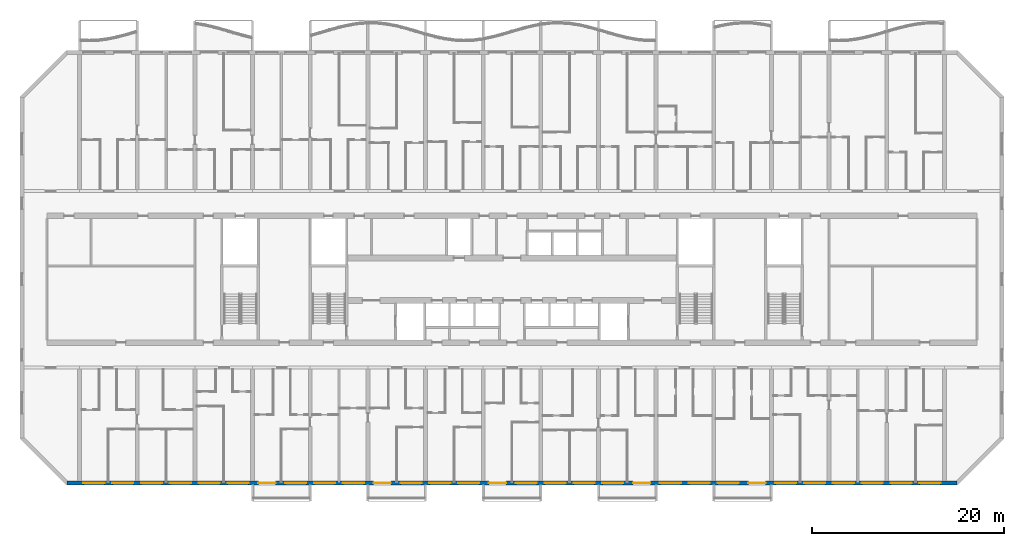
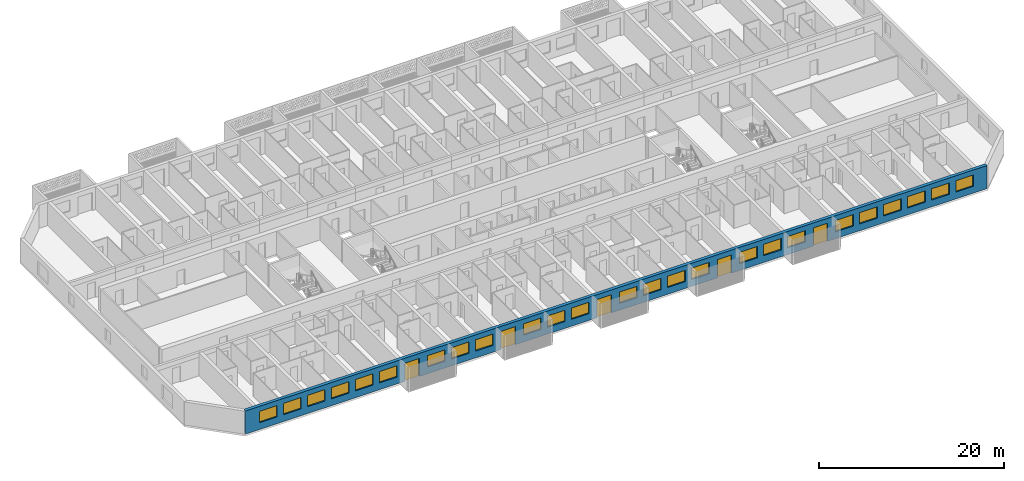
# One storey, part 6 of 44: 25 windows, 5 doors, 1 wall, 30 openings.
"""IFC4 building model written with IfcOpenShell, lengths in metres."""

from ifc_helpers import new_model, si_unit, direction, frame, frame_2d, origin, place, context, subcontext, project, spatial, rectangle, extrude, material, layer, layer_set, type_object, element, fill, save


model = new_model("IFC4")

# Units and contexts
model_context = context("Model", 3, precision=1e-05, world=origin(), true_north=direction((0.0, 1.0)))
body_context = subcontext(model_context, "Body", "Model", "MODEL_VIEW")
ifc_project = project(units=[si_unit("LENGTHUNIT", "METRE"), si_unit("AREAUNIT", "SQUARE_METRE"), si_unit("VOLUMEUNIT", "CUBIC_METRE"), si_unit("PLANEANGLEUNIT", "RADIAN"), si_unit("MASSUNIT", "GRAM", prefix="KILO")], contexts=[model_context])

# Site, building, storey
site_placement = place(None, origin())
site = spatial("IfcSite", under=ifc_project, at=site_placement, CompositionType="ELEMENT")
building_placement = place(site_placement, origin())
building = spatial("IfcBuilding", under=site, at=building_placement, Name="Poui Terraces", CompositionType="ELEMENT")
storey_placement = place(building_placement, frame((0.0, 0.0, 30.0)))
storey = spatial("IfcBuildingStorey", under=building, at=storey_placement, Name="L07", CompositionType="ELEMENT", Elevation=30.0)

# Wall, openings, doors, windows
ifc_material_1 = material(Name="Precast concrete 40 MPa", Category="concrete")
ifc_layer = layer(ifc_material_1, 0.39990234375)
ifc_layer_set = layer_set([ifc_layer], Name="Precast concrete 40 MPa")
wall_type = type_object("IfcWallType", Name="EXTERNAL WALL 400", PredefinedType="STANDARD", material=ifc_layer_set)
wall_placement = place(storey_placement, frame((4.682861328125, 0.0, 0.0), z_axis=(0.0, 0.0, 1.0), x_axis=(1.0, 0.0, 0.0)))
wall = element("IfcWall", 1, at=wall_placement, inside=storey, type_object=wall_type, Name="EXTERNAL WALL S", PredefinedType="STANDARD", context=body_context, shape_type="SweptSolid", body=[
    extrude(rectangle(XDim=92.63427734375, YDim=0.39990234375, at=frame_2d((46.317138671875, 0.0))), origin(), (0.0, 0.0, 1.0), 3.050048828125),
])
opening_1_placement = place(wall_placement, frame((1.71728515625, 0.0, 0.89990234375)))
opening_1 = element("IfcOpeningElement", 2, at=opening_1_placement, cuts=wall, Name="Opening W1", PredefinedType="OPENING", context=body_context, shape_type="SweptSolid", body=[
    extrude(rectangle(XDim=2.199951171875, YDim=1.5, at=frame_2d((1.10009765625, 0.75))), frame((0.0, 0.2099609375, 0.0), z_axis=(0.0, -1.0, 0.0), x_axis=(1.0, 0.0, 0.0)), (0.0, 0.0, 1.0), 0.419921875),
])
opening_2_placement = place(wall_placement, frame((4.71728515625, 0.0, 0.89990234375)))
opening_2 = element("IfcOpeningElement", 3, at=opening_2_placement, cuts=wall, Name="Opening W1", PredefinedType="OPENING", context=body_context, shape_type="SweptSolid", body=[
    extrude(rectangle(XDim=2.199951171875, YDim=1.5, at=frame_2d((1.10009765625, 0.75))), frame((0.0, 0.2099609375, 0.0), z_axis=(0.0, -1.0, 0.0), x_axis=(1.0, 0.0, 0.0)), (0.0, 0.0, 1.0), 0.419921875),
])
opening_3_placement = place(wall_placement, frame((7.71728515625, 0.0, 0.89990234375)))
opening_3 = element("IfcOpeningElement", 4, at=opening_3_placement, cuts=wall, Name="Opening W1", PredefinedType="OPENING", context=body_context, shape_type="SweptSolid", body=[
    extrude(rectangle(XDim=2.199951171875, YDim=1.5, at=frame_2d((1.10009765625, 0.75))), frame((0.0, 0.2099609375, 0.0), z_axis=(0.0, -1.0, 0.0), x_axis=(1.0, 0.0, 0.0)), (0.0, 0.0, 1.0), 0.419921875),
])
opening_4_placement = place(wall_placement, frame((10.71728515625, 0.0, 0.89990234375)))
opening_4 = element("IfcOpeningElement", 5, at=opening_4_placement, cuts=wall, Name="Opening W1", PredefinedType="OPENING", context=body_context, shape_type="SweptSolid", body=[
    extrude(rectangle(XDim=2.199951171875, YDim=1.5, at=frame_2d((1.10009765625, 0.75))), frame((0.0, 0.2099609375, 0.0), z_axis=(0.0, -1.0, 0.0), x_axis=(1.0, 0.0, 0.0)), (0.0, 0.0, 1.0), 0.419921875),
])
opening_5_placement = place(wall_placement, frame((13.71728515625, 0.0, 0.89990234375)))
opening_5 = element("IfcOpeningElement", 6, at=opening_5_placement, cuts=wall, Name="Opening W1", PredefinedType="OPENING", context=body_context, shape_type="SweptSolid", body=[
    extrude(rectangle(XDim=2.199951171875, YDim=1.5, at=frame_2d((1.10009765625, 0.75))), frame((0.0, 0.2099609375, 0.0), z_axis=(0.0, -1.0, 0.0), x_axis=(1.0, 0.0, 0.0)), (0.0, 0.0, 1.0), 0.419921875),
])
opening_6_placement = place(wall_placement, frame((16.71728515625, 0.0, 0.89990234375)))
opening_6 = element("IfcOpeningElement", 7, at=opening_6_placement, cuts=wall, Name="Opening W1", PredefinedType="OPENING", context=body_context, shape_type="SweptSolid", body=[
    extrude(rectangle(XDim=2.199951171875, YDim=1.5, at=frame_2d((1.10009765625, 0.75))), frame((0.0, 0.2099609375, 0.0), z_axis=(0.0, -1.0, 0.0), x_axis=(1.0, 0.0, 0.0)), (0.0, 0.0, 1.0), 0.419921875),
])
opening_7_placement = place(wall_placement, frame((19.917236328125, 0.0, 0.0)))
opening_7 = element("IfcOpeningElement", 8, at=opening_7_placement, cuts=wall, Name="Opening BD1", PredefinedType="OPENING", context=body_context, shape_type="SweptSolid", body=[
    extrude(rectangle(XDim=1.800048828125, YDim=2.39990234375, at=frame_2d((0.89990234375, 1.199951171875))), frame((0.0, 0.2099609375, 0.0), z_axis=(0.0, -1.0, 0.0), x_axis=(1.0, 0.0, 0.0)), (0.0, 0.0, 1.0), 0.419921875),
])
opening_8_placement = place(wall_placement, frame((22.71728515625, 0.0, 0.89990234375)))
opening_8 = element("IfcOpeningElement", 9, at=opening_8_placement, cuts=wall, Name="Opening W1", PredefinedType="OPENING", context=body_context, shape_type="SweptSolid", body=[
    extrude(rectangle(XDim=2.199951171875, YDim=1.5, at=frame_2d((1.10009765625, 0.75))), frame((0.0, 0.2099609375, 0.0), z_axis=(0.0, -1.0, 0.0), x_axis=(1.0, 0.0, 0.0)), (0.0, 0.0, 1.0), 0.419921875),
])
opening_9_placement = place(wall_placement, frame((25.71728515625, 0.0, 0.89990234375)))
opening_9 = element("IfcOpeningElement", 10, at=opening_9_placement, cuts=wall, Name="Opening W1", PredefinedType="OPENING", context=body_context, shape_type="SweptSolid", body=[
    extrude(rectangle(XDim=2.199951171875, YDim=1.5, at=frame_2d((1.10009765625, 0.75))), frame((0.0, 0.2099609375, 0.0), z_axis=(0.0, -1.0, 0.0), x_axis=(1.0, 0.0, 0.0)), (0.0, 0.0, 1.0), 0.419921875),
])
opening_10_placement = place(wall_placement, frame((28.71728515625, 0.0, 0.89990234375)))
opening_10 = element("IfcOpeningElement", 11, at=opening_10_placement, cuts=wall, Name="Opening W1", PredefinedType="OPENING", context=body_context, shape_type="SweptSolid", body=[
    extrude(rectangle(XDim=2.199951171875, YDim=1.5, at=frame_2d((1.10009765625, 0.75))), frame((0.0, 0.2099609375, 0.0), z_axis=(0.0, -1.0, 0.0), x_axis=(1.0, 0.0, 0.0)), (0.0, 0.0, 1.0), 0.419921875),
])
opening_11_placement = place(wall_placement, frame((31.917236328125, 0.0, 0.0)))
opening_11 = element("IfcOpeningElement", 12, at=opening_11_placement, cuts=wall, Name="Opening BD1", PredefinedType="OPENING", context=body_context, shape_type="SweptSolid", body=[
    extrude(rectangle(XDim=1.800048828125, YDim=2.39990234375, at=frame_2d((0.89990234375, 1.199951171875))), frame((0.0, 0.2099609375, 0.0), z_axis=(0.0, -1.0, 0.0), x_axis=(1.0, 0.0, 0.0)), (0.0, 0.0, 1.0), 0.419921875),
])
opening_12_placement = place(wall_placement, frame((34.71728515625, 0.0, 0.89990234375)))
opening_12 = element("IfcOpeningElement", 13, at=opening_12_placement, cuts=wall, Name="Opening W1", PredefinedType="OPENING", context=body_context, shape_type="SweptSolid", body=[
    extrude(rectangle(XDim=2.199951171875, YDim=1.5, at=frame_2d((1.10009765625, 0.75))), frame((0.0, 0.2099609375, 0.0), z_axis=(0.0, -1.0, 0.0), x_axis=(1.0, 0.0, 0.0)), (0.0, 0.0, 1.0), 0.419921875),
])
opening_13_placement = place(wall_placement, frame((37.71728515625, 0.0, 0.89990234375)))
opening_13 = element("IfcOpeningElement", 14, at=opening_13_placement, cuts=wall, Name="Opening W1", PredefinedType="OPENING", context=body_context, shape_type="SweptSolid", body=[
    extrude(rectangle(XDim=2.199951171875, YDim=1.5, at=frame_2d((1.10009765625, 0.75))), frame((0.0, 0.2099609375, 0.0), z_axis=(0.0, -1.0, 0.0), x_axis=(1.0, 0.0, 0.0)), (0.0, 0.0, 1.0), 0.419921875),
])
opening_14_placement = place(wall_placement, frame((40.71728515625, 0.0, 0.89990234375)))
opening_14 = element("IfcOpeningElement", 15, at=opening_14_placement, cuts=wall, Name="Opening W1", PredefinedType="OPENING", context=body_context, shape_type="SweptSolid", body=[
    extrude(rectangle(XDim=2.199951171875, YDim=1.5, at=frame_2d((1.10009765625, 0.75))), frame((0.0, 0.2099609375, 0.0), z_axis=(0.0, -1.0, 0.0), x_axis=(1.0, 0.0, 0.0)), (0.0, 0.0, 1.0), 0.419921875),
])
opening_15_placement = place(wall_placement, frame((43.917236328125, 0.0, 0.0)))
opening_15 = element("IfcOpeningElement", 16, at=opening_15_placement, cuts=wall, Name="Opening BD1", PredefinedType="OPENING", context=body_context, shape_type="SweptSolid", body=[
    extrude(rectangle(XDim=1.800048828125, YDim=2.39990234375, at=frame_2d((0.89990234375, 1.199951171875))), frame((0.0, 0.2099609375, 0.0), z_axis=(0.0, -1.0, 0.0), x_axis=(1.0, 0.0, 0.0)), (0.0, 0.0, 1.0), 0.419921875),
])
opening_16_placement = place(wall_placement, frame((46.71728515625, 0.0, 0.89990234375)))
opening_16 = element("IfcOpeningElement", 17, at=opening_16_placement, cuts=wall, Name="Opening W1", PredefinedType="OPENING", context=body_context, shape_type="SweptSolid", body=[
    extrude(rectangle(XDim=2.199951171875, YDim=1.5, at=frame_2d((1.10009765625, 0.75))), frame((0.0, 0.2099609375, 0.0), z_axis=(0.0, -1.0, 0.0), x_axis=(1.0, 0.0, 0.0)), (0.0, 0.0, 1.0), 0.419921875),
])
opening_17_placement = place(wall_placement, frame((49.71728515625, 0.0, 0.89990234375)))
opening_17 = element("IfcOpeningElement", 18, at=opening_17_placement, cuts=wall, Name="Opening W1", PredefinedType="OPENING", context=body_context, shape_type="SweptSolid", body=[
    extrude(rectangle(XDim=2.199951171875, YDim=1.5, at=frame_2d((1.10009765625, 0.75))), frame((0.0, 0.2099609375, 0.0), z_axis=(0.0, -1.0, 0.0), x_axis=(1.0, 0.0, 0.0)), (0.0, 0.0, 1.0), 0.419921875),
])
opening_18_placement = place(wall_placement, frame((52.71728515625, 0.0, 0.89990234375)))
opening_18 = element("IfcOpeningElement", 19, at=opening_18_placement, cuts=wall, Name="Opening W1", PredefinedType="OPENING", context=body_context, shape_type="SweptSolid", body=[
    extrude(rectangle(XDim=2.199951171875, YDim=1.5, at=frame_2d((1.10009765625, 0.75))), frame((0.0, 0.2099609375, 0.0), z_axis=(0.0, -1.0, 0.0), x_axis=(1.0, 0.0, 0.0)), (0.0, 0.0, 1.0), 0.419921875),
])
opening_19_placement = place(wall_placement, frame((55.71728515625, 0.0, 0.89990234375)))
opening_19 = element("IfcOpeningElement", 20, at=opening_19_placement, cuts=wall, Name="Opening W1", PredefinedType="OPENING", context=body_context, shape_type="SweptSolid", body=[
    extrude(rectangle(XDim=2.199951171875, YDim=1.5, at=frame_2d((1.10009765625, 0.75))), frame((0.0, 0.2099609375, 0.0), z_axis=(0.0, -1.0, 0.0), x_axis=(1.0, 0.0, 0.0)), (0.0, 0.0, 1.0), 0.419921875),
])
opening_20_placement = place(wall_placement, frame((58.917236328125, 0.0, 0.0)))
opening_20 = element("IfcOpeningElement", 21, at=opening_20_placement, cuts=wall, Name="Opening BD1", PredefinedType="OPENING", context=body_context, shape_type="SweptSolid", body=[
    extrude(rectangle(XDim=1.800048828125, YDim=2.39990234375, at=frame_2d((0.89990234375, 1.199951171875))), frame((0.0, 0.2099609375, 0.0), z_axis=(0.0, -1.0, 0.0), x_axis=(1.0, 0.0, 0.0)), (0.0, 0.0, 1.0), 0.419921875),
])
opening_21_placement = place(wall_placement, frame((61.71728515625, 0.0, 0.89990234375)))
opening_21 = element("IfcOpeningElement", 22, at=opening_21_placement, cuts=wall, Name="Opening W1", PredefinedType="OPENING", context=body_context, shape_type="SweptSolid", body=[
    extrude(rectangle(XDim=2.199951171875, YDim=1.5, at=frame_2d((1.10009765625, 0.75))), frame((0.0, 0.2099609375, 0.0), z_axis=(0.0, -1.0, 0.0), x_axis=(1.0, 0.0, 0.0)), (0.0, 0.0, 1.0), 0.419921875),
])
opening_22_placement = place(wall_placement, frame((64.71728515625, 0.0, 0.89990234375)))
opening_22 = element("IfcOpeningElement", 23, at=opening_22_placement, cuts=wall, Name="Opening W1", PredefinedType="OPENING", context=body_context, shape_type="SweptSolid", body=[
    extrude(rectangle(XDim=2.199951171875, YDim=1.5, at=frame_2d((1.10009765625, 0.75))), frame((0.0, 0.2099609375, 0.0), z_axis=(0.0, -1.0, 0.0), x_axis=(1.0, 0.0, 0.0)), (0.0, 0.0, 1.0), 0.419921875),
])
opening_23_placement = place(wall_placement, frame((67.71728515625, 0.0, 0.89990234375)))
opening_23 = element("IfcOpeningElement", 24, at=opening_23_placement, cuts=wall, Name="Opening W1", PredefinedType="OPENING", context=body_context, shape_type="SweptSolid", body=[
    extrude(rectangle(XDim=2.199951171875, YDim=1.5, at=frame_2d((1.10009765625, 0.75))), frame((0.0, 0.2099609375, 0.0), z_axis=(0.0, -1.0, 0.0), x_axis=(1.0, 0.0, 0.0)), (0.0, 0.0, 1.0), 0.419921875),
])
opening_24_placement = place(wall_placement, frame((70.917236328125, 0.0, 0.0)))
opening_24 = element("IfcOpeningElement", 25, at=opening_24_placement, cuts=wall, Name="Opening BD1", PredefinedType="OPENING", context=body_context, shape_type="SweptSolid", body=[
    extrude(rectangle(XDim=1.800048828125, YDim=2.39990234375, at=frame_2d((0.89990234375, 1.199951171875))), frame((0.0, 0.2099609375, 0.0), z_axis=(0.0, -1.0, 0.0), x_axis=(1.0, 0.0, 0.0)), (0.0, 0.0, 1.0), 0.419921875),
])
opening_25_placement = place(wall_placement, frame((73.71728515625, 0.0, 0.89990234375)))
opening_25 = element("IfcOpeningElement", 26, at=opening_25_placement, cuts=wall, Name="Opening W1", PredefinedType="OPENING", context=body_context, shape_type="SweptSolid", body=[
    extrude(rectangle(XDim=2.199951171875, YDim=1.5, at=frame_2d((1.10009765625, 0.75))), frame((0.0, 0.2099609375, 0.0), z_axis=(0.0, -1.0, 0.0), x_axis=(1.0, 0.0, 0.0)), (0.0, 0.0, 1.0), 0.419921875),
])
opening_26_placement = place(wall_placement, frame((76.71728515625, 0.0, 0.89990234375)))
opening_26 = element("IfcOpeningElement", 27, at=opening_26_placement, cuts=wall, Name="Opening W1", PredefinedType="OPENING", context=body_context, shape_type="SweptSolid", body=[
    extrude(rectangle(XDim=2.199951171875, YDim=1.5, at=frame_2d((1.10009765625, 0.75))), frame((0.0, 0.2099609375, 0.0), z_axis=(0.0, -1.0, 0.0), x_axis=(1.0, 0.0, 0.0)), (0.0, 0.0, 1.0), 0.419921875),
])
opening_27_placement = place(wall_placement, frame((79.71728515625, 0.0, 0.89990234375)))
opening_27 = element("IfcOpeningElement", 28, at=opening_27_placement, cuts=wall, Name="Opening W1", PredefinedType="OPENING", context=body_context, shape_type="SweptSolid", body=[
    extrude(rectangle(XDim=2.199951171875, YDim=1.5, at=frame_2d((1.10009765625, 0.75))), frame((0.0, 0.2099609375, 0.0), z_axis=(0.0, -1.0, 0.0), x_axis=(1.0, 0.0, 0.0)), (0.0, 0.0, 1.0), 0.419921875),
])
opening_28_placement = place(wall_placement, frame((82.71728515625, 0.0, 0.89990234375)))
opening_28 = element("IfcOpeningElement", 29, at=opening_28_placement, cuts=wall, Name="Opening W1", PredefinedType="OPENING", context=body_context, shape_type="SweptSolid", body=[
    extrude(rectangle(XDim=2.199951171875, YDim=1.5, at=frame_2d((1.10009765625, 0.75))), frame((0.0, 0.2099609375, 0.0), z_axis=(0.0, -1.0, 0.0), x_axis=(1.0, 0.0, 0.0)), (0.0, 0.0, 1.0), 0.419921875),
])
opening_29_placement = place(wall_placement, frame((85.71728515625, 0.0, 0.89990234375)))
opening_29 = element("IfcOpeningElement", 30, at=opening_29_placement, cuts=wall, Name="Opening W1", PredefinedType="OPENING", context=body_context, shape_type="SweptSolid", body=[
    extrude(rectangle(XDim=2.199951171875, YDim=1.5, at=frame_2d((1.10009765625, 0.75))), frame((0.0, 0.2099609375, 0.0), z_axis=(0.0, -1.0, 0.0), x_axis=(1.0, 0.0, 0.0)), (0.0, 0.0, 1.0), 0.419921875),
])
opening_30_placement = place(wall_placement, frame((88.71728515625, 0.0, 0.89990234375)))
opening_30 = element("IfcOpeningElement", 31, at=opening_30_placement, cuts=wall, Name="Opening W1", PredefinedType="OPENING", context=body_context, shape_type="SweptSolid", body=[
    extrude(rectangle(XDim=2.199951171875, YDim=1.5, at=frame_2d((1.10009765625, 0.75))), frame((0.0, 0.2099609375, 0.0), z_axis=(0.0, -1.0, 0.0), x_axis=(1.0, 0.0, 0.0)), (0.0, 0.0, 1.0), 0.419921875),
])
ifc_material_2 = material(Name="Clear glass in aluminium frame", Category="aluminium")
door_type = type_object("IfcDoorType", Name="BALCONY DOOR 1800X2400", OperationType="DOUBLE_DOOR_SLIDING", PredefinedType="DOOR", material=ifc_material_2)
door_1_placement = place(opening_7_placement, origin())
door_1 = element("IfcDoor", 32, at=door_1_placement, inside=storey, type_object=door_type, Name="BD1 BALCONY DOOR", OperationType="DOUBLE_DOOR_SLIDING", OverallHeight=2.39990234375, OverallWidth=1.800048828125, PredefinedType="DOOR", context=body_context, shape_type="SweptSolid", body=[
    extrude(rectangle(XDim=1.800048828125, YDim=2.39990234375, at=frame_2d((0.89990234375, 1.199951171875))), frame((0.0, 0.02490234375, 0.0), z_axis=(0.0, -1.0, 0.0), x_axis=(1.0, 0.0, 0.0)), (0.0, 0.0, 1.0), 0.050048828125),
])
fill(opening_7, door_1)
door_2_placement = place(opening_11_placement, origin())
door_2 = element("IfcDoor", 33, at=door_2_placement, inside=storey, type_object=door_type, Name="BD1 BALCONY DOOR", OperationType="DOUBLE_DOOR_SLIDING", OverallHeight=2.39990234375, OverallWidth=1.800048828125, PredefinedType="DOOR", context=body_context, shape_type="SweptSolid", body=[
    extrude(rectangle(XDim=1.800048828125, YDim=2.39990234375, at=frame_2d((0.89990234375, 1.199951171875))), frame((0.0, 0.02490234375, 0.0), z_axis=(0.0, -1.0, 0.0), x_axis=(1.0, 0.0, 0.0)), (0.0, 0.0, 1.0), 0.050048828125),
])
fill(opening_11, door_2)
door_3_placement = place(opening_15_placement, origin())
door_3 = element("IfcDoor", 34, at=door_3_placement, inside=storey, type_object=door_type, Name="BD1 BALCONY DOOR", OperationType="DOUBLE_DOOR_SLIDING", OverallHeight=2.39990234375, OverallWidth=1.800048828125, PredefinedType="DOOR", context=body_context, shape_type="SweptSolid", body=[
    extrude(rectangle(XDim=1.800048828125, YDim=2.39990234375, at=frame_2d((0.89990234375, 1.199951171875))), frame((0.0, 0.02490234375, 0.0), z_axis=(0.0, -1.0, 0.0), x_axis=(1.0, 0.0, 0.0)), (0.0, 0.0, 1.0), 0.050048828125),
])
fill(opening_15, door_3)
door_4_placement = place(opening_20_placement, origin())
door_4 = element("IfcDoor", 35, at=door_4_placement, inside=storey, type_object=door_type, Name="BD1 BALCONY DOOR", OperationType="DOUBLE_DOOR_SLIDING", OverallHeight=2.39990234375, OverallWidth=1.800048828125, PredefinedType="DOOR", context=body_context, shape_type="SweptSolid", body=[
    extrude(rectangle(XDim=1.800048828125, YDim=2.39990234375, at=frame_2d((0.89990234375, 1.199951171875))), frame((0.0, 0.02490234375, 0.0), z_axis=(0.0, -1.0, 0.0), x_axis=(1.0, 0.0, 0.0)), (0.0, 0.0, 1.0), 0.050048828125),
])
fill(opening_20, door_4)
door_5_placement = place(opening_24_placement, origin())
door_5 = element("IfcDoor", 36, at=door_5_placement, inside=storey, type_object=door_type, Name="BD1 BALCONY DOOR", OperationType="DOUBLE_DOOR_SLIDING", OverallHeight=2.39990234375, OverallWidth=1.800048828125, PredefinedType="DOOR", context=body_context, shape_type="SweptSolid", body=[
    extrude(rectangle(XDim=1.800048828125, YDim=2.39990234375, at=frame_2d((0.89990234375, 1.199951171875))), frame((0.0, 0.02490234375, 0.0), z_axis=(0.0, -1.0, 0.0), x_axis=(1.0, 0.0, 0.0)), (0.0, 0.0, 1.0), 0.050048828125),
])
fill(opening_24, door_5)
window_type = type_object("IfcWindowType", Name="WINDOW 2200X1500", PartitioningType="DOUBLE_PANEL_HORIZONTAL", PredefinedType="WINDOW", material=ifc_material_2)
window_1_placement = place(opening_1_placement, origin())
window_1 = element("IfcWindow", 37, at=window_1_placement, inside=storey, type_object=window_type, Name="W1 WINDOW", OverallHeight=1.5, OverallWidth=2.199951171875, PartitioningType="DOUBLE_PANEL_HORIZONTAL", PredefinedType="WINDOW", context=body_context, shape_type="SweptSolid", body=[
    extrude(rectangle(XDim=2.199951171875, YDim=1.5, at=frame_2d((1.10009765625, 0.75))), frame((0.0, 0.030029296875, 0.0), z_axis=(0.0, -1.0, 0.0), x_axis=(1.0, 0.0, 0.0)), (0.0, 0.0, 1.0), 0.06005859375),
])
fill(opening_1, window_1)
window_2_placement = place(opening_2_placement, origin())
window_2 = element("IfcWindow", 38, at=window_2_placement, inside=storey, type_object=window_type, Name="W1 WINDOW", OverallHeight=1.5, OverallWidth=2.199951171875, PartitioningType="DOUBLE_PANEL_HORIZONTAL", PredefinedType="WINDOW", context=body_context, shape_type="SweptSolid", body=[
    extrude(rectangle(XDim=2.199951171875, YDim=1.5, at=frame_2d((1.10009765625, 0.75))), frame((0.0, 0.030029296875, 0.0), z_axis=(0.0, -1.0, 0.0), x_axis=(1.0, 0.0, 0.0)), (0.0, 0.0, 1.0), 0.06005859375),
])
fill(opening_2, window_2)
window_3_placement = place(opening_3_placement, origin())
window_3 = element("IfcWindow", 39, at=window_3_placement, inside=storey, type_object=window_type, Name="W1 WINDOW", OverallHeight=1.5, OverallWidth=2.199951171875, PartitioningType="DOUBLE_PANEL_HORIZONTAL", PredefinedType="WINDOW", context=body_context, shape_type="SweptSolid", body=[
    extrude(rectangle(XDim=2.199951171875, YDim=1.5, at=frame_2d((1.10009765625, 0.75))), frame((0.0, 0.030029296875, 0.0), z_axis=(0.0, -1.0, 0.0), x_axis=(1.0, 0.0, 0.0)), (0.0, 0.0, 1.0), 0.06005859375),
])
fill(opening_3, window_3)
window_4_placement = place(opening_4_placement, origin())
window_4 = element("IfcWindow", 40, at=window_4_placement, inside=storey, type_object=window_type, Name="W1 WINDOW", OverallHeight=1.5, OverallWidth=2.199951171875, PartitioningType="DOUBLE_PANEL_HORIZONTAL", PredefinedType="WINDOW", context=body_context, shape_type="SweptSolid", body=[
    extrude(rectangle(XDim=2.199951171875, YDim=1.5, at=frame_2d((1.10009765625, 0.75))), frame((0.0, 0.030029296875, 0.0), z_axis=(0.0, -1.0, 0.0), x_axis=(1.0, 0.0, 0.0)), (0.0, 0.0, 1.0), 0.06005859375),
])
fill(opening_4, window_4)
window_5_placement = place(opening_5_placement, origin())
window_5 = element("IfcWindow", 41, at=window_5_placement, inside=storey, type_object=window_type, Name="W1 WINDOW", OverallHeight=1.5, OverallWidth=2.199951171875, PartitioningType="DOUBLE_PANEL_HORIZONTAL", PredefinedType="WINDOW", context=body_context, shape_type="SweptSolid", body=[
    extrude(rectangle(XDim=2.199951171875, YDim=1.5, at=frame_2d((1.10009765625, 0.75))), frame((0.0, 0.030029296875, 0.0), z_axis=(0.0, -1.0, 0.0), x_axis=(1.0, 0.0, 0.0)), (0.0, 0.0, 1.0), 0.06005859375),
])
fill(opening_5, window_5)
window_6_placement = place(opening_6_placement, origin())
window_6 = element("IfcWindow", 42, at=window_6_placement, inside=storey, type_object=window_type, Name="W1 WINDOW", OverallHeight=1.5, OverallWidth=2.199951171875, PartitioningType="DOUBLE_PANEL_HORIZONTAL", PredefinedType="WINDOW", context=body_context, shape_type="SweptSolid", body=[
    extrude(rectangle(XDim=2.199951171875, YDim=1.5, at=frame_2d((1.10009765625, 0.75))), frame((0.0, 0.030029296875, 0.0), z_axis=(0.0, -1.0, 0.0), x_axis=(1.0, 0.0, 0.0)), (0.0, 0.0, 1.0), 0.06005859375),
])
fill(opening_6, window_6)
window_7_placement = place(opening_8_placement, origin())
window_7 = element("IfcWindow", 43, at=window_7_placement, inside=storey, type_object=window_type, Name="W1 WINDOW", OverallHeight=1.5, OverallWidth=2.199951171875, PartitioningType="DOUBLE_PANEL_HORIZONTAL", PredefinedType="WINDOW", context=body_context, shape_type="SweptSolid", body=[
    extrude(rectangle(XDim=2.199951171875, YDim=1.5, at=frame_2d((1.10009765625, 0.75))), frame((0.0, 0.030029296875, 0.0), z_axis=(0.0, -1.0, 0.0), x_axis=(1.0, 0.0, 0.0)), (0.0, 0.0, 1.0), 0.06005859375),
])
fill(opening_8, window_7)
window_8_placement = place(opening_9_placement, origin())
window_8 = element("IfcWindow", 44, at=window_8_placement, inside=storey, type_object=window_type, Name="W1 WINDOW", OverallHeight=1.5, OverallWidth=2.199951171875, PartitioningType="DOUBLE_PANEL_HORIZONTAL", PredefinedType="WINDOW", context=body_context, shape_type="SweptSolid", body=[
    extrude(rectangle(XDim=2.199951171875, YDim=1.5, at=frame_2d((1.10009765625, 0.75))), frame((0.0, 0.030029296875, 0.0), z_axis=(0.0, -1.0, 0.0), x_axis=(1.0, 0.0, 0.0)), (0.0, 0.0, 1.0), 0.06005859375),
])
fill(opening_9, window_8)
window_9_placement = place(opening_10_placement, origin())
window_9 = element("IfcWindow", 45, at=window_9_placement, inside=storey, type_object=window_type, Name="W1 WINDOW", OverallHeight=1.5, OverallWidth=2.199951171875, PartitioningType="DOUBLE_PANEL_HORIZONTAL", PredefinedType="WINDOW", context=body_context, shape_type="SweptSolid", body=[
    extrude(rectangle(XDim=2.199951171875, YDim=1.5, at=frame_2d((1.10009765625, 0.75))), frame((0.0, 0.030029296875, 0.0), z_axis=(0.0, -1.0, 0.0), x_axis=(1.0, 0.0, 0.0)), (0.0, 0.0, 1.0), 0.06005859375),
])
fill(opening_10, window_9)
window_10_placement = place(opening_12_placement, origin())
window_10 = element("IfcWindow", 46, at=window_10_placement, inside=storey, type_object=window_type, Name="W1 WINDOW", OverallHeight=1.5, OverallWidth=2.199951171875, PartitioningType="DOUBLE_PANEL_HORIZONTAL", PredefinedType="WINDOW", context=body_context, shape_type="SweptSolid", body=[
    extrude(rectangle(XDim=2.199951171875, YDim=1.5, at=frame_2d((1.10009765625, 0.75))), frame((0.0, 0.030029296875, 0.0), z_axis=(0.0, -1.0, 0.0), x_axis=(1.0, 0.0, 0.0)), (0.0, 0.0, 1.0), 0.06005859375),
])
fill(opening_12, window_10)
window_11_placement = place(opening_13_placement, origin())
window_11 = element("IfcWindow", 47, at=window_11_placement, inside=storey, type_object=window_type, Name="W1 WINDOW", OverallHeight=1.5, OverallWidth=2.199951171875, PartitioningType="DOUBLE_PANEL_HORIZONTAL", PredefinedType="WINDOW", context=body_context, shape_type="SweptSolid", body=[
    extrude(rectangle(XDim=2.199951171875, YDim=1.5, at=frame_2d((1.10009765625, 0.75))), frame((0.0, 0.030029296875, 0.0), z_axis=(0.0, -1.0, 0.0), x_axis=(1.0, 0.0, 0.0)), (0.0, 0.0, 1.0), 0.06005859375),
])
fill(opening_13, window_11)
window_12_placement = place(opening_14_placement, origin())
window_12 = element("IfcWindow", 48, at=window_12_placement, inside=storey, type_object=window_type, Name="W1 WINDOW", OverallHeight=1.5, OverallWidth=2.199951171875, PartitioningType="DOUBLE_PANEL_HORIZONTAL", PredefinedType="WINDOW", context=body_context, shape_type="SweptSolid", body=[
    extrude(rectangle(XDim=2.199951171875, YDim=1.5, at=frame_2d((1.10009765625, 0.75))), frame((0.0, 0.030029296875, 0.0), z_axis=(0.0, -1.0, 0.0), x_axis=(1.0, 0.0, 0.0)), (0.0, 0.0, 1.0), 0.06005859375),
])
fill(opening_14, window_12)
window_13_placement = place(opening_16_placement, origin())
window_13 = element("IfcWindow", 49, at=window_13_placement, inside=storey, type_object=window_type, Name="W1 WINDOW", OverallHeight=1.5, OverallWidth=2.199951171875, PartitioningType="DOUBLE_PANEL_HORIZONTAL", PredefinedType="WINDOW", context=body_context, shape_type="SweptSolid", body=[
    extrude(rectangle(XDim=2.199951171875, YDim=1.5, at=frame_2d((1.10009765625, 0.75))), frame((0.0, 0.030029296875, 0.0), z_axis=(0.0, -1.0, 0.0), x_axis=(1.0, 0.0, 0.0)), (0.0, 0.0, 1.0), 0.06005859375),
])
fill(opening_16, window_13)
window_14_placement = place(opening_17_placement, origin())
window_14 = element("IfcWindow", 50, at=window_14_placement, inside=storey, type_object=window_type, Name="W1 WINDOW", OverallHeight=1.5, OverallWidth=2.199951171875, PartitioningType="DOUBLE_PANEL_HORIZONTAL", PredefinedType="WINDOW", context=body_context, shape_type="SweptSolid", body=[
    extrude(rectangle(XDim=2.199951171875, YDim=1.5, at=frame_2d((1.10009765625, 0.75))), frame((0.0, 0.030029296875, 0.0), z_axis=(0.0, -1.0, 0.0), x_axis=(1.0, 0.0, 0.0)), (0.0, 0.0, 1.0), 0.06005859375),
])
fill(opening_17, window_14)
window_15_placement = place(opening_18_placement, origin())
window_15 = element("IfcWindow", 51, at=window_15_placement, inside=storey, type_object=window_type, Name="W1 WINDOW", OverallHeight=1.5, OverallWidth=2.199951171875, PartitioningType="DOUBLE_PANEL_HORIZONTAL", PredefinedType="WINDOW", context=body_context, shape_type="SweptSolid", body=[
    extrude(rectangle(XDim=2.199951171875, YDim=1.5, at=frame_2d((1.10009765625, 0.75))), frame((0.0, 0.030029296875, 0.0), z_axis=(0.0, -1.0, 0.0), x_axis=(1.0, 0.0, 0.0)), (0.0, 0.0, 1.0), 0.06005859375),
])
fill(opening_18, window_15)
window_16_placement = place(opening_19_placement, origin())
window_16 = element("IfcWindow", 52, at=window_16_placement, inside=storey, type_object=window_type, Name="W1 WINDOW", OverallHeight=1.5, OverallWidth=2.199951171875, PartitioningType="DOUBLE_PANEL_HORIZONTAL", PredefinedType="WINDOW", context=body_context, shape_type="SweptSolid", body=[
    extrude(rectangle(XDim=2.199951171875, YDim=1.5, at=frame_2d((1.10009765625, 0.75))), frame((0.0, 0.030029296875, 0.0), z_axis=(0.0, -1.0, 0.0), x_axis=(1.0, 0.0, 0.0)), (0.0, 0.0, 1.0), 0.06005859375),
])
fill(opening_19, window_16)
window_17_placement = place(opening_21_placement, origin())
window_17 = element("IfcWindow", 53, at=window_17_placement, inside=storey, type_object=window_type, Name="W1 WINDOW", OverallHeight=1.5, OverallWidth=2.199951171875, PartitioningType="DOUBLE_PANEL_HORIZONTAL", PredefinedType="WINDOW", context=body_context, shape_type="SweptSolid", body=[
    extrude(rectangle(XDim=2.199951171875, YDim=1.5, at=frame_2d((1.10009765625, 0.75))), frame((0.0, 0.030029296875, 0.0), z_axis=(0.0, -1.0, 0.0), x_axis=(1.0, 0.0, 0.0)), (0.0, 0.0, 1.0), 0.06005859375),
])
fill(opening_21, window_17)
window_18_placement = place(opening_22_placement, origin())
window_18 = element("IfcWindow", 54, at=window_18_placement, inside=storey, type_object=window_type, Name="W1 WINDOW", OverallHeight=1.5, OverallWidth=2.199951171875, PartitioningType="DOUBLE_PANEL_HORIZONTAL", PredefinedType="WINDOW", context=body_context, shape_type="SweptSolid", body=[
    extrude(rectangle(XDim=2.199951171875, YDim=1.5, at=frame_2d((1.10009765625, 0.75))), frame((0.0, 0.030029296875, 0.0), z_axis=(0.0, -1.0, 0.0), x_axis=(1.0, 0.0, 0.0)), (0.0, 0.0, 1.0), 0.06005859375),
])
fill(opening_22, window_18)
window_19_placement = place(opening_23_placement, origin())
window_19 = element("IfcWindow", 55, at=window_19_placement, inside=storey, type_object=window_type, Name="W1 WINDOW", OverallHeight=1.5, OverallWidth=2.199951171875, PartitioningType="DOUBLE_PANEL_HORIZONTAL", PredefinedType="WINDOW", context=body_context, shape_type="SweptSolid", body=[
    extrude(rectangle(XDim=2.199951171875, YDim=1.5, at=frame_2d((1.10009765625, 0.75))), frame((0.0, 0.030029296875, 0.0), z_axis=(0.0, -1.0, 0.0), x_axis=(1.0, 0.0, 0.0)), (0.0, 0.0, 1.0), 0.06005859375),
])
fill(opening_23, window_19)
window_20_placement = place(opening_25_placement, origin())
window_20 = element("IfcWindow", 56, at=window_20_placement, inside=storey, type_object=window_type, Name="W1 WINDOW", OverallHeight=1.5, OverallWidth=2.199951171875, PartitioningType="DOUBLE_PANEL_HORIZONTAL", PredefinedType="WINDOW", context=body_context, shape_type="SweptSolid", body=[
    extrude(rectangle(XDim=2.199951171875, YDim=1.5, at=frame_2d((1.10009765625, 0.75))), frame((0.0, 0.030029296875, 0.0), z_axis=(0.0, -1.0, 0.0), x_axis=(1.0, 0.0, 0.0)), (0.0, 0.0, 1.0), 0.06005859375),
])
fill(opening_25, window_20)
window_21_placement = place(opening_26_placement, origin())
window_21 = element("IfcWindow", 57, at=window_21_placement, inside=storey, type_object=window_type, Name="W1 WINDOW", OverallHeight=1.5, OverallWidth=2.199951171875, PartitioningType="DOUBLE_PANEL_HORIZONTAL", PredefinedType="WINDOW", context=body_context, shape_type="SweptSolid", body=[
    extrude(rectangle(XDim=2.199951171875, YDim=1.5, at=frame_2d((1.10009765625, 0.75))), frame((0.0, 0.030029296875, 0.0), z_axis=(0.0, -1.0, 0.0), x_axis=(1.0, 0.0, 0.0)), (0.0, 0.0, 1.0), 0.06005859375),
])
fill(opening_26, window_21)
window_22_placement = place(opening_27_placement, origin())
window_22 = element("IfcWindow", 58, at=window_22_placement, inside=storey, type_object=window_type, Name="W1 WINDOW", OverallHeight=1.5, OverallWidth=2.199951171875, PartitioningType="DOUBLE_PANEL_HORIZONTAL", PredefinedType="WINDOW", context=body_context, shape_type="SweptSolid", body=[
    extrude(rectangle(XDim=2.199951171875, YDim=1.5, at=frame_2d((1.10009765625, 0.75))), frame((0.0, 0.030029296875, 0.0), z_axis=(0.0, -1.0, 0.0), x_axis=(1.0, 0.0, 0.0)), (0.0, 0.0, 1.0), 0.06005859375),
])
fill(opening_27, window_22)
window_23_placement = place(opening_28_placement, origin())
window_23 = element("IfcWindow", 59, at=window_23_placement, inside=storey, type_object=window_type, Name="W1 WINDOW", OverallHeight=1.5, OverallWidth=2.199951171875, PartitioningType="DOUBLE_PANEL_HORIZONTAL", PredefinedType="WINDOW", context=body_context, shape_type="SweptSolid", body=[
    extrude(rectangle(XDim=2.199951171875, YDim=1.5, at=frame_2d((1.10009765625, 0.75))), frame((0.0, 0.030029296875, 0.0), z_axis=(0.0, -1.0, 0.0), x_axis=(1.0, 0.0, 0.0)), (0.0, 0.0, 1.0), 0.06005859375),
])
fill(opening_28, window_23)
window_24_placement = place(opening_29_placement, origin())
window_24 = element("IfcWindow", 60, at=window_24_placement, inside=storey, type_object=window_type, Name="W1 WINDOW", OverallHeight=1.5, OverallWidth=2.199951171875, PartitioningType="DOUBLE_PANEL_HORIZONTAL", PredefinedType="WINDOW", context=body_context, shape_type="SweptSolid", body=[
    extrude(rectangle(XDim=2.199951171875, YDim=1.5, at=frame_2d((1.10009765625, 0.75))), frame((0.0, 0.030029296875, 0.0), z_axis=(0.0, -1.0, 0.0), x_axis=(1.0, 0.0, 0.0)), (0.0, 0.0, 1.0), 0.06005859375),
])
fill(opening_29, window_24)
window_25_placement = place(opening_30_placement, origin())
window_25 = element("IfcWindow", 61, at=window_25_placement, inside=storey, type_object=window_type, Name="W1 WINDOW", OverallHeight=1.5, OverallWidth=2.199951171875, PartitioningType="DOUBLE_PANEL_HORIZONTAL", PredefinedType="WINDOW", context=body_context, shape_type="SweptSolid", body=[
    extrude(rectangle(XDim=2.199951171875, YDim=1.5, at=frame_2d((1.10009765625, 0.75))), frame((0.0, 0.030029296875, 0.0), z_axis=(0.0, -1.0, 0.0), x_axis=(1.0, 0.0, 0.0)), (0.0, 0.0, 1.0), 0.06005859375),
])
fill(opening_30, window_25)

save(model, "model.ifc")
